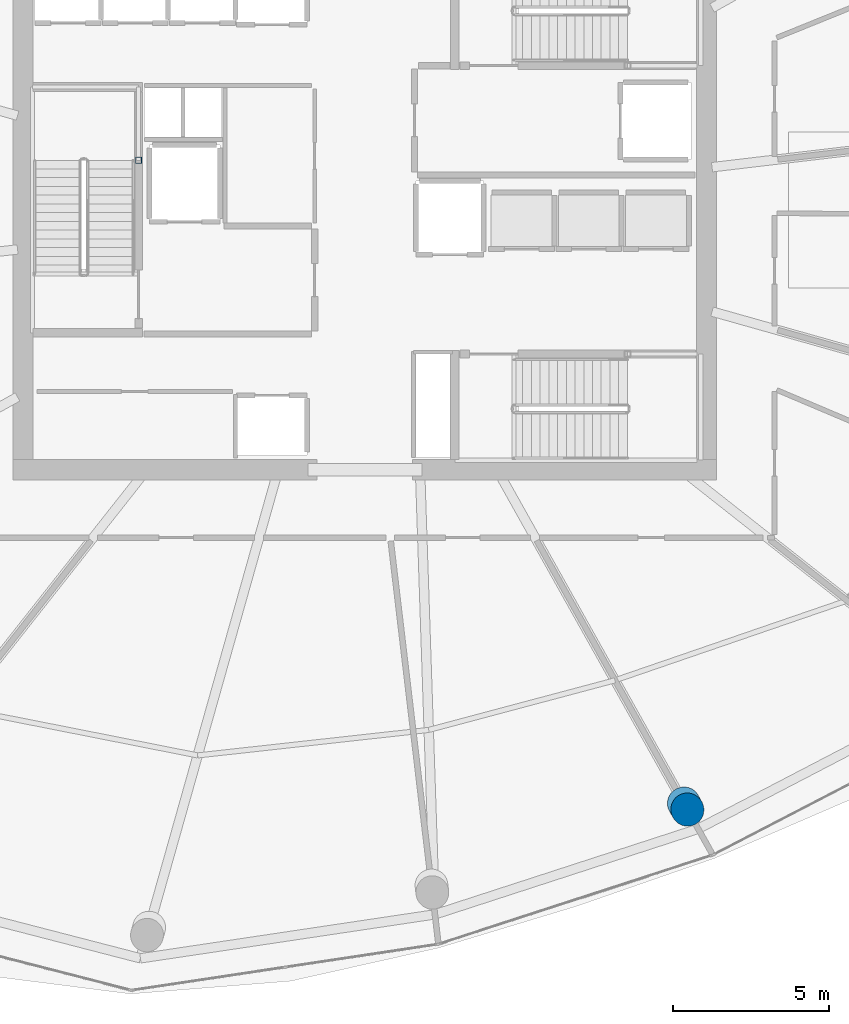
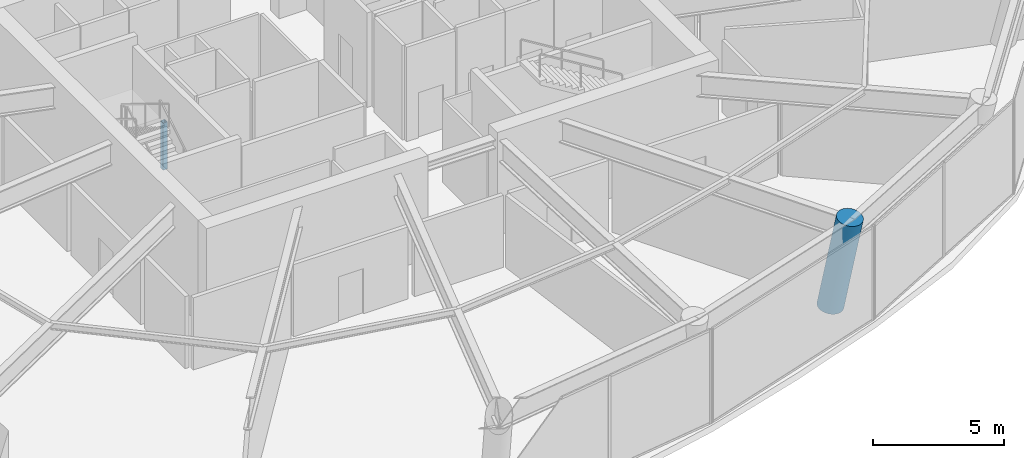
# One storey, part 2 of 22: 2 columns.
"""IFC4 building model written with IfcOpenShell, lengths in metres."""

from ifc_helpers import new_model, si_unit, direction, frame, origin, origin_2d, place, context, subcontext, project, spatial, hollow_rectangle, circle, extrude, material, material_profile, profile_set, type_object, element, save


model = new_model("IFC4")

# Units and contexts
model_context = context("Model", 3, precision=1e-05, world=origin(), true_north=direction((0.0, 1.0)))
body_context = subcontext(model_context, "Body", "Model", "MODEL_VIEW")
ifc_project = project(units=[si_unit("LENGTHUNIT", "METRE"), si_unit("AREAUNIT", "SQUARE_METRE"), si_unit("VOLUMEUNIT", "CUBIC_METRE"), si_unit("PLANEANGLEUNIT", "RADIAN"), si_unit("MASSUNIT", "GRAM", prefix="KILO")], contexts=[model_context])

# Site, building, storey
site_placement = place(None, origin())
site = spatial("IfcSite", under=ifc_project, at=site_placement, CompositionType="ELEMENT")
building_placement = place(site_placement, origin())
building = spatial("IfcBuilding", under=site, at=building_placement, Name="Kazma Halo Residences", CompositionType="ELEMENT")
storey_placement = place(building_placement, frame((0.0, 0.0, 231.89990234375)))
storey = spatial("IfcBuildingStorey", under=building, at=storey_placement, Name="L58", CompositionType="ELEMENT", Elevation=231.89990234375)

# Columns
ifc_material_1 = material(Name="Steel S355", Category="steel")
ifc_material_profile_1 = material_profile(ifc_material_1, hollow_rectangle(XDim=0.199951171875, YDim=0.199951171875, WallThickness=0.010009765625, InnerFilletRadius=0.010009765625, OuterFilletRadius=0.02001953125, at=origin_2d()), Name="SHS200x200x10")
ifc_profile_set_1 = profile_set([ifc_material_profile_1], Name="Steel S355")
column_type_1 = type_object("IfcColumnType", Name="COL-LP-SHS200", PredefinedType="COLUMN", material=ifc_profile_set_1)
column_1_placement = place(storey_placement, frame((41.179931640625, 43.590087890625, 0.0), z_axis=(0.0, 0.0, 1.0), x_axis=(1.0, 0.0, 0.0)))
element("IfcColumn", 1, at=column_1_placement, inside=storey, type_object=column_type_1, Name="L58 ST-01 landing pilaster 1", PredefinedType="COLUMN", context=body_context, shape_type="SweptSolid", body=[
    extrude(hollow_rectangle(XDim=0.199951171875, YDim=0.199951171875, WallThickness=0.010009765625, InnerFilletRadius=0.010009765625, OuterFilletRadius=0.02001953125, at=origin_2d()), origin(), (0.0, 0.0, 1.0), 2.195068359375),
])
ifc_material_2 = material(Name="Concrete C80/95", Category="concrete")
ifc_material_profile_2 = material_profile(ifc_material_2, circle(Radius=0.52490234375, at=origin_2d()), Name="CIRC1050")
ifc_profile_set_2 = profile_set([ifc_material_profile_2], Name="Concrete C80/95")
column_type_2 = type_object("IfcColumnType", Name="COL-PERIM-1050", PredefinedType="COLUMN", material=ifc_profile_set_2)
column_2_placement = place(storey_placement, frame((58.645263671875, 22.99169921875, 0.0), z_axis=(0.094082140632, -0.16807382415, 0.981274548967), x_axis=(0.872592764755, 0.488448428084, 0.0)))
element("IfcColumn", 2, at=column_2_placement, inside=storey, type_object=column_type_2, Name="L58 perimeter ring column P13", PredefinedType="COLUMN", context=body_context, shape_type="SweptSolid", body=[
    extrude(circle(Radius=0.52490234375, at=origin_2d()), origin(), (0.0, 0.0, 1.0), 4.484130859375),
])

save(model, "model.ifc")
